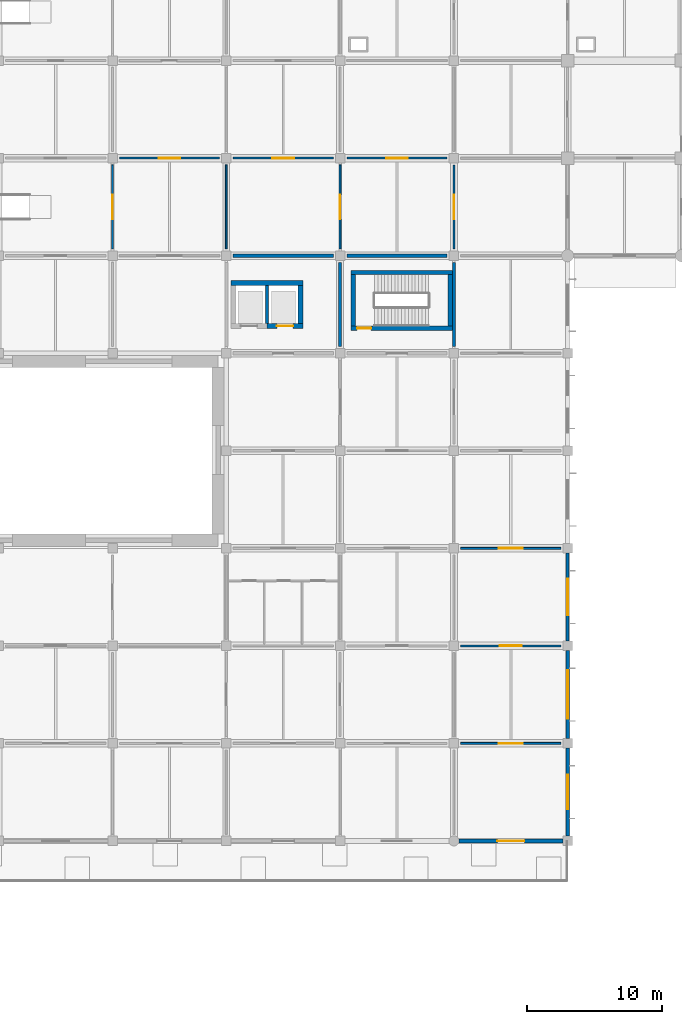
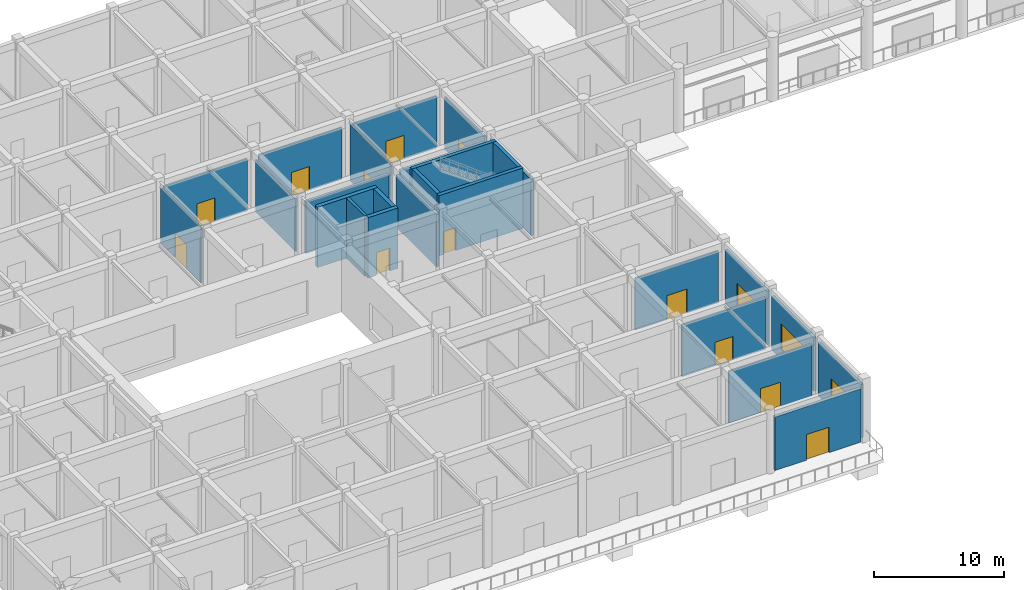
# One storey, part 16 of 39: 26 walls, 12 doors, 3 windows, 15 openings.
"""IFC4 building model written with IfcOpenShell, lengths in metres."""

from ifc_helpers import new_model, si_unit, derived_unit, direction, frame, frame_2d, origin, place, context, subcontext, project, spatial, rectangle, extrude, material, layer, layer_set, type_object, element, fill, save


model = new_model("IFC4")

# Units and contexts
model_context = context("Model", 3, precision=1e-05, world=origin(), true_north=direction((0.0, 1.0)))
body_context = subcontext(model_context, "Body", "Model", "MODEL_VIEW")
ifc_project = project(units=[si_unit("LENGTHUNIT", "METRE"), si_unit("AREAUNIT", "SQUARE_METRE"), si_unit("VOLUMEUNIT", "CUBIC_METRE"), si_unit("PLANEANGLEUNIT", "RADIAN"), si_unit("MASSUNIT", "GRAM", prefix="KILO"), derived_unit("THERMALTRANSMITTANCEUNIT", [(si_unit("MASSUNIT", "GRAM", prefix="KILO"), 1), (si_unit("TIMEUNIT", "SECOND"), -3), (si_unit("THERMODYNAMICTEMPERATUREUNIT", "KELVIN"), -1)])], contexts=[model_context])

# Site, building, storey
site_placement = place(None, origin())
site = spatial("IfcSite", under=ifc_project, at=site_placement, CompositionType="ELEMENT")
building_placement = place(site_placement, origin())
building = spatial("IfcBuilding", under=site, at=building_placement, Name="Veldstrom Oceanarium and Marine Research Institute", CompositionType="ELEMENT")
storey_placement = place(building_placement, origin())
storey = spatial("IfcBuildingStorey", under=building, at=storey_placement, Name="L00", CompositionType="ELEMENT", Elevation=0.0)

# Wall, opening, door
ifc_material_1 = material(Name="Masonry Cavity Wall", Category="masonry")
ifc_layer_1 = layer(ifc_material_1, 0.2900390625)
ifc_layer_set_1 = layer_set([ifc_layer_1], Name="ARC-WAL-EW2")
wall_type_1 = type_object("IfcWallType", Name="ARC-WAL-EW2", PredefinedType="SOLIDWALL", material=ifc_layer_set_1)
wall_1_placement = place(storey_placement, frame((59.175048828125, 0.0, 0.0), z_axis=(0.0, 0.0, 1.0), x_axis=(1.0, 0.0, 0.0)))
wall_1 = element("IfcWall", 1, at=wall_1_placement, inside=storey, type_object=wall_type_1, Name="Exterior Facade Wall EW2 L00-024", PredefinedType="SOLIDWALL", context=body_context, shape_type="SweptSolid", body=[
    extrude(rectangle(XDim=7.675048828125, YDim=0.2900390625, at=frame_2d((3.83740234375, 0.0))), origin(), (0.0, 0.0, 1.0), 5.02001953125),
])
opening_1_placement = place(wall_1_placement, frame((2.83740234375, 0.0, 0.0)))
opening_1 = element("IfcOpeningElement", 2, at=opening_1_placement, cuts=wall_1, Name="Opening D-L00-011", PredefinedType="OPENING", context=body_context, shape_type="SweptSolid", body=[
    extrude(rectangle(XDim=2.0, YDim=2.39990234375, at=frame_2d((1.0, 1.199951171875))), frame((0.0, 0.155029296875, 0.0), z_axis=(0.0, -1.0, 0.0), x_axis=(1.0, 0.0, 0.0)), (0.0, 0.0, 1.0), 0.31005859375),
])
ifc_material_2 = material(Name="Anodised Aluminium Glazed Door", Category="aluminium")
door_type_1 = type_object("IfcDoorType", Name="ARC-DOR-ED1", OperationType="DOUBLE_DOOR_SINGLE_SWING", PredefinedType="DOOR", material=ifc_material_2)
door_1_placement = place(opening_1_placement, frame((2.0, 0.0, 0.0), z_axis=(0.0, 0.0, 1.0), x_axis=(-1.0, 0.0, 0.0)))
door_1 = element("IfcDoor", 3, at=door_1_placement, inside=storey, type_object=door_type_1, Name="Street Entrance / Exit Door D-L00-011", OperationType="DOUBLE_DOOR_SINGLE_SWING", OverallHeight=2.39990234375, OverallWidth=2.0, PredefinedType="DOOR", context=body_context, shape_type="SweptSolid", body=[
    extrude(rectangle(XDim=2.0, YDim=2.39990234375, at=frame_2d((1.0, 1.199951171875))), frame((0.0, 0.02490234375, 0.0), z_axis=(0.0, -1.0, 0.0), x_axis=(1.0, 0.0, 0.0)), (0.0, 0.0, 1.0), 0.050048828125),
])
fill(opening_1, door_1)

# Wall, opening, window
ifc_material_3 = material(Name="Masonry Cavity Wall", Category="masonry")
ifc_layer_2 = layer(ifc_material_3, 0.27001953125)
ifc_layer_set_2 = layer_set([ifc_layer_2], Name="ARC-WAL-EW3")
wall_type_2 = type_object("IfcWallType", Name="ARC-WAL-EW3", PredefinedType="SOLIDWALL", material=ifc_layer_set_2)
wall_2_placement = place(storey_placement, frame((67.199951171875, 0.35009765625, 0.0), z_axis=(0.0, 0.0, 1.0), x_axis=(0.0, 1.0, 0.0)))
wall_2 = element("IfcWall", 4, at=wall_2_placement, inside=storey, type_object=wall_type_2, Name="Exterior Facade Wall EW3 L00-025", PredefinedType="SOLIDWALL", context=body_context, shape_type="SweptSolid", body=[
    extrude(rectangle(XDim=6.5, YDim=0.27001953125, at=frame_2d((3.25, 0.0))), origin(), (0.0, 0.0, 1.0), 5.02001953125),
])
opening_2_placement = place(wall_2_placement, frame((1.97509765625, 0.0, 0.89990234375)))
opening_2 = element("IfcOpeningElement", 5, at=opening_2_placement, cuts=wall_2, Name="Opening W20", PredefinedType="OPENING", context=body_context, shape_type="SweptSolid", body=[
    extrude(rectangle(XDim=2.550048828125, YDim=1.949951171875, at=frame_2d((1.27490234375, 0.97509765625))), frame((0.0, 0.14501953125, 0.0), z_axis=(0.0, -1.0, 0.0), x_axis=(1.0, 0.0, 0.0)), (0.0, 0.0, 1.0), 0.2900390625),
])
ifc_material_4 = material(Name="Double Glazed Low-E IGU", Category="glass")
window_type_1 = type_object("IfcWindowType", Name="ARC-WIN-W20", PartitioningType="SINGLE_PANEL", PredefinedType="WINDOW", material=ifc_material_4)
window_1_placement = place(opening_2_placement, origin())
window_1 = element("IfcWindow", 6, at=window_1_placement, inside=storey, type_object=window_type_1, Name="Facade Window W20 L00-0009", OverallHeight=1.949951171875, OverallWidth=2.550048828125, PartitioningType="SINGLE_PANEL", PredefinedType="WINDOW", context=body_context, shape_type="SweptSolid", body=[
    extrude(rectangle(XDim=2.550048828125, YDim=1.949951171875, at=frame_2d((1.27490234375, 0.97509765625))), frame((0.0, 0.030029296875, 0.0), z_axis=(0.0, -1.0, 0.0), x_axis=(1.0, 0.0, 0.0)), (0.0, 0.0, 1.0), 0.06005859375),
])
fill(opening_2, window_1)

ifc_material_5 = material(Name="Masonry Cavity Wall", Category="masonry")
ifc_layer_3 = layer(ifc_material_5, 0.25)
ifc_layer_set_3 = layer_set([ifc_layer_3], Name="ARC-WAL-EW5")
wall_type_3 = type_object("IfcWallType", Name="ARC-WAL-EW5", PredefinedType="SOLIDWALL", material=ifc_layer_set_3)
wall_3_placement = place(storey_placement, frame((67.199951171875, 7.550048828125, 0.0), z_axis=(0.0, 0.0, 1.0), x_axis=(0.0, 1.0, 0.0)))
wall_3 = element("IfcWall", 7, at=wall_3_placement, inside=storey, type_object=wall_type_3, Name="Exterior Facade Wall EW5 L00-026", PredefinedType="SOLIDWALL", context=body_context, shape_type="SweptSolid", body=[
    extrude(rectangle(XDim=6.5, YDim=0.25, at=frame_2d((3.25, 0.0))), origin(), (0.0, 0.0, 1.0), 5.02001953125),
])
opening_3_placement = place(wall_3_placement, frame((1.449951171875, 0.0, 0.89990234375)))
opening_3 = element("IfcOpeningElement", 8, at=opening_3_placement, cuts=wall_3, Name="Opening W11", PredefinedType="OPENING", context=body_context, shape_type="SweptSolid", body=[
    extrude(rectangle(XDim=3.60009765625, YDim=2.39990234375, at=frame_2d((1.800048828125, 1.199951171875))), frame((0.0, 0.135009765625, 0.0), z_axis=(0.0, -1.0, 0.0), x_axis=(1.0, 0.0, 0.0)), (0.0, 0.0, 1.0), 0.27001953125),
])
ifc_material_6 = material(Name="Double Glazed Low-E IGU", Category="glass")
window_type_2 = type_object("IfcWindowType", Name="ARC-WIN-W11", PartitioningType="SINGLE_PANEL", PredefinedType="WINDOW", material=ifc_material_6)
window_2_placement = place(opening_3_placement, origin())
window_2 = element("IfcWindow", 9, at=window_2_placement, inside=storey, type_object=window_type_2, Name="Facade Window W11 L00-0010", OverallHeight=2.39990234375, OverallWidth=3.60009765625, PartitioningType="SINGLE_PANEL", PredefinedType="WINDOW", context=body_context, shape_type="SweptSolid", body=[
    extrude(rectangle(XDim=3.60009765625, YDim=2.39990234375, at=frame_2d((1.800048828125, 1.199951171875))), frame((0.0, 0.030029296875, 0.0), z_axis=(0.0, -1.0, 0.0), x_axis=(1.0, 0.0, 0.0)), (0.0, 0.0, 1.0), 0.06005859375),
])
fill(opening_3, window_2)

ifc_material_7 = material(Name="Masonry Cavity Wall", Category="masonry")
ifc_layer_4 = layer(ifc_material_7, 0.215087890625)
ifc_layer_set_4 = layer_set([ifc_layer_4], Name="ARC-WAL-EW6")
wall_type_4 = type_object("IfcWallType", Name="ARC-WAL-EW6", PredefinedType="SOLIDWALL", material=ifc_layer_set_4)
wall_4_placement = place(storey_placement, frame((67.199951171875, 14.75, 0.0), z_axis=(0.0, 0.0, 1.0), x_axis=(0.0, 1.0, 0.0)))
wall_4 = element("IfcWall", 10, at=wall_4_placement, inside=storey, type_object=wall_type_4, Name="Exterior Facade Wall EW6 L00-027", PredefinedType="SOLIDWALL", context=body_context, shape_type="SweptSolid", body=[
    extrude(rectangle(XDim=6.5, YDim=0.215087890625, at=frame_2d((3.25, 0.0))), origin(), (0.0, 0.0, 1.0), 5.02001953125),
])
opening_4_placement = place(wall_4_placement, frame((1.89990234375, 0.0, 0.89990234375)))
opening_4 = element("IfcOpeningElement", 11, at=opening_4_placement, cuts=wall_4, Name="Opening W08", PredefinedType="OPENING", context=body_context, shape_type="SweptSolid", body=[
    extrude(rectangle(XDim=2.699951171875, YDim=2.10009765625, at=frame_2d((1.35009765625, 1.050048828125))), frame((0.0, 0.117431640625, 0.0), z_axis=(0.0, -1.0, 0.0), x_axis=(1.0, 0.0, 0.0)), (0.0, 0.0, 1.0), 0.235107421875),
])
ifc_material_8 = material(Name="Double Glazed Low-E IGU", Category="glass")
window_type_3 = type_object("IfcWindowType", Name="ARC-WIN-W08", PartitioningType="SINGLE_PANEL", PredefinedType="WINDOW", material=ifc_material_8)
window_3_placement = place(opening_4_placement, origin())
window_3 = element("IfcWindow", 12, at=window_3_placement, inside=storey, type_object=window_type_3, Name="Facade Window W08 L00-0011", OverallHeight=2.10009765625, OverallWidth=2.699951171875, PartitioningType="SINGLE_PANEL", PredefinedType="WINDOW", context=body_context, shape_type="SweptSolid", body=[
    extrude(rectangle(XDim=2.699951171875, YDim=2.10009765625, at=frame_2d((1.35009765625, 1.050048828125))), frame((0.0, 0.030029296875, 0.0), z_axis=(0.0, -1.0, 0.0), x_axis=(1.0, 0.0, 0.0)), (0.0, 0.0, 1.0), 0.06005859375),
])
fill(opening_4, window_3)

# Walls
ifc_material_9 = material(Name="Masonry Fire Compartment Wall", Category="masonry")
ifc_layer_5 = layer(ifc_material_9, 0.22998046875)
ifc_layer_set_5 = layer_set([ifc_layer_5], Name="ARC-WAL-PT1")
wall_type_5 = type_object("IfcWallType", Name="ARC-WAL-PT1", PredefinedType="PARTITIONING", material=ifc_layer_set_5)
wall_5_placement = place(storey_placement, frame((50.39990234375, 36.5, 0.0), z_axis=(0.0, 0.0, 1.0), x_axis=(0.0, 1.0, 0.0)))
element("IfcWall", 13, at=wall_5_placement, inside=storey, type_object=wall_type_5, Name="Interior Partition PT1 L00-0657", PredefinedType="PARTITIONING", context=body_context, shape_type="SweptSolid", body=[
    extrude(rectangle(XDim=6.199951171875, YDim=0.22998046875, at=frame_2d((3.10009765625, 0.0))), origin(), (0.0, 0.0, 1.0), 4.919921875),
])
wall_6_placement = place(storey_placement, frame((42.5, 43.199951171875, 0.0), z_axis=(0.0, 0.0, 1.0), x_axis=(1.0, 0.0, 0.0)))
element("IfcWall", 14, at=wall_6_placement, inside=storey, type_object=wall_type_5, Name="Interior Partition PT1 L00-0658", PredefinedType="PARTITIONING", context=body_context, shape_type="SweptSolid", body=[
    extrude(rectangle(XDim=7.39990234375, YDim=0.22998046875, at=frame_2d((3.699951171875, 0.0))), origin(), (0.0, 0.0, 1.0), 4.8701171875),
])
wall_7_placement = place(storey_placement, frame((58.800048828125, 36.5, 0.0), z_axis=(0.0, 0.0, 1.0), x_axis=(0.0, 1.0, 0.0)))
element("IfcWall", 15, at=wall_7_placement, inside=storey, type_object=wall_type_5, Name="Interior Partition PT1 L00-0676", PredefinedType="PARTITIONING", context=body_context, shape_type="SweptSolid", body=[
    extrude(rectangle(XDim=6.199951171875, YDim=0.22998046875, at=frame_2d((3.10009765625, 0.0))), origin(), (0.0, 0.0, 1.0), 5.27001953125),
])
wall_8_placement = place(storey_placement, frame((50.89990234375, 43.199951171875, 0.0), z_axis=(0.0, 0.0, 1.0), x_axis=(1.0, 0.0, 0.0)))
element("IfcWall", 16, at=wall_8_placement, inside=storey, type_object=wall_type_5, Name="Interior Partition PT1 L00-0677", PredefinedType="PARTITIONING", context=body_context, shape_type="SweptSolid", body=[
    extrude(rectangle(XDim=7.400146484375, YDim=0.22998046875, at=frame_2d((3.7001953125, 0.0))), origin(), (0.0, 0.0, 1.0), 4.8701171875),
])

# Wall, opening, door
ifc_material_10 = material(Name="Drywall Corridor Partition", Category="gypsum")
ifc_layer_6 = layer(ifc_material_10, 0.155029296875)
ifc_layer_set_6 = layer_set([ifc_layer_6], Name="ARC-WAL-PT4")
wall_type_6 = type_object("IfcWallType", Name="ARC-WAL-PT4", PredefinedType="PARTITIONING", material=ifc_layer_set_6)
wall_9_placement = place(storey_placement, frame((34.10009765625, 50.39990234375, 0.0), z_axis=(0.0, 0.0, 1.0), x_axis=(1.0, 0.0, 0.0)))
wall_9 = element("IfcWall", 17, at=wall_9_placement, inside=storey, type_object=wall_type_6, Name="Interior Partition PT4 L00-0641", PredefinedType="PARTITIONING", context=body_context, shape_type="SweptSolid", body=[
    extrude(rectangle(XDim=7.39990234375, YDim=0.155029296875, at=frame_2d((3.699951171875, 0.0))), origin(), (0.0, 0.0, 1.0), 4.8701171875),
])
opening_5_placement = place(wall_9_placement, frame((2.89990234375, 0.0, 0.0)))
opening_5 = element("IfcOpeningElement", 18, at=opening_5_placement, cuts=wall_9, Name="Opening D-L00-373", PredefinedType="OPENING", context=body_context, shape_type="SweptSolid", body=[
    extrude(rectangle(XDim=1.60009765625, YDim=2.199951171875, at=frame_2d((0.800048828125, 1.10009765625))), frame((0.0, 0.08740234375, 0.0), z_axis=(0.0, -1.0, 0.0), x_axis=(1.0, 0.0, 0.0)), (0.0, 0.0, 1.0), 0.175048828125),
])
ifc_material_11 = material(Name="Acoustic Timber Corridor Door", Category="wood")
door_type_2 = type_object("IfcDoorType", Name="ARC-DOR-ID02", OperationType="DOUBLE_DOOR_SINGLE_SWING", PredefinedType="DOOR", material=ifc_material_11)
door_2_placement = place(opening_5_placement, origin())
door_2 = element("IfcDoor", 19, at=door_2_placement, inside=storey, type_object=door_type_2, Name="Interior Door D-L00-373", OperationType="DOUBLE_DOOR_SINGLE_SWING", OverallHeight=2.199951171875, OverallWidth=1.60009765625, PredefinedType="DOOR", context=body_context, shape_type="SweptSolid", body=[
    extrude(rectangle(XDim=1.60009765625, YDim=2.199951171875, at=frame_2d((0.800048828125, 1.10009765625))), frame((0.0, 0.02490234375, 0.0), z_axis=(0.0, -1.0, 0.0), x_axis=(1.0, 0.0, 0.0)), (0.0, 0.0, 1.0), 0.050048828125),
])
fill(opening_5, door_2)

wall_10_placement = place(storey_placement, frame((58.800048828125, 43.699951171875, 0.0), z_axis=(0.0, 0.0, 1.0), x_axis=(0.0, 1.0, 0.0)))
wall_10 = element("IfcWall", 20, at=wall_10_placement, inside=storey, type_object=wall_type_6, Name="Interior Partition PT4 L00-0678", PredefinedType="PARTITIONING", context=body_context, shape_type="SweptSolid", body=[
    extrude(rectangle(XDim=6.199951171875, YDim=0.155029296875, at=frame_2d((3.10009765625, 0.0))), origin(), (0.0, 0.0, 1.0), 4.919921875),
])
opening_6_placement = place(wall_10_placement, frame((2.199951171875, 0.0, 0.0)))
opening_6 = element("IfcOpeningElement", 21, at=opening_6_placement, cuts=wall_10, Name="Opening D-L00-392", PredefinedType="OPENING", context=body_context, shape_type="SweptSolid", body=[
    extrude(rectangle(XDim=1.800048828125, YDim=2.25, at=frame_2d((0.89990234375, 1.125))), frame((0.0, 0.08740234375, 0.0), z_axis=(0.0, -1.0, 0.0), x_axis=(1.0, 0.0, 0.0)), (0.0, 0.0, 1.0), 0.175048828125),
])
ifc_material_12 = material(Name="Acoustic Timber Gallery Door", Category="wood")
door_type_3 = type_object("IfcDoorType", Name="ARC-DOR-ID01", OperationType="DOUBLE_DOOR_SINGLE_SWING", PredefinedType="DOOR", material=ifc_material_12)
door_3_placement = place(opening_6_placement, frame((1.800048828125, 0.0, 0.0), z_axis=(0.0, 0.0, 1.0), x_axis=(-1.0, 0.0, 0.0)))
door_3 = element("IfcDoor", 22, at=door_3_placement, inside=storey, type_object=door_type_3, Name="Interior Door D-L00-392", OperationType="DOUBLE_DOOR_SINGLE_SWING", OverallHeight=2.25, OverallWidth=1.800048828125, PredefinedType="DOOR", context=body_context, shape_type="SweptSolid", body=[
    extrude(rectangle(XDim=1.800048828125, YDim=2.25, at=frame_2d((0.89990234375, 1.125))), frame((0.0, 0.02490234375, 0.0), z_axis=(0.0, -1.0, 0.0), x_axis=(1.0, 0.0, 0.0)), (0.0, 0.0, 1.0), 0.050048828125),
])
fill(opening_6, door_3)

wall_11_placement = place(storey_placement, frame((50.89990234375, 50.39990234375, 0.0), z_axis=(0.0, 0.0, 1.0), x_axis=(1.0, 0.0, 0.0)))
wall_11 = element("IfcWall", 23, at=wall_11_placement, inside=storey, type_object=wall_type_6, Name="Interior Partition PT4 L00-0679", PredefinedType="PARTITIONING", context=body_context, shape_type="SweptSolid", body=[
    extrude(rectangle(XDim=7.400146484375, YDim=0.155029296875, at=frame_2d((3.7001953125, 0.0))), origin(), (0.0, 0.0, 1.0), 4.8701171875),
])
opening_7_placement = place(wall_11_placement, frame((2.89990234375, 0.0, 0.0)))
opening_7 = element("IfcOpeningElement", 24, at=opening_7_placement, cuts=wall_11, Name="Opening D-L00-393", PredefinedType="OPENING", context=body_context, shape_type="SweptSolid", body=[
    extrude(rectangle(XDim=1.60009765625, YDim=2.199951171875, at=frame_2d((0.800048828125, 1.10009765625))), frame((0.0, 0.08740234375, 0.0), z_axis=(0.0, -1.0, 0.0), x_axis=(1.0, 0.0, 0.0)), (0.0, 0.0, 1.0), 0.175048828125),
])
door_4_placement = place(opening_7_placement, origin())
door_4 = element("IfcDoor", 25, at=door_4_placement, inside=storey, type_object=door_type_2, Name="Interior Door D-L00-393", OperationType="DOUBLE_DOOR_SINGLE_SWING", OverallHeight=2.199951171875, OverallWidth=1.60009765625, PredefinedType="DOOR", context=body_context, shape_type="SweptSolid", body=[
    extrude(rectangle(XDim=1.60009765625, YDim=2.199951171875, at=frame_2d((0.800048828125, 1.10009765625))), frame((0.0, 0.02490234375, 0.0), z_axis=(0.0, -1.0, 0.0), x_axis=(1.0, 0.0, 0.0)), (0.0, 0.0, 1.0), 0.050048828125),
])
fill(opening_7, door_4)

wall_12_placement = place(storey_placement, frame((59.300048828125, 14.39990234375, 0.0), z_axis=(0.0, 0.0, 1.0), x_axis=(1.0, 0.0, 0.0)))
wall_12 = element("IfcWall", 26, at=wall_12_placement, inside=storey, type_object=wall_type_6, Name="Interior Partition PT4 L00-0686", PredefinedType="PARTITIONING", context=body_context, shape_type="SweptSolid", body=[
    extrude(rectangle(XDim=7.39990234375, YDim=0.155029296875, at=frame_2d((3.699951171875, 0.0))), origin(), (0.0, 0.0, 1.0), 4.8701171875),
])
opening_8_placement = place(wall_12_placement, frame((2.89990234375, 0.0, 0.0)))
opening_8 = element("IfcOpeningElement", 27, at=opening_8_placement, cuts=wall_12, Name="Opening D-L00-397", PredefinedType="OPENING", context=body_context, shape_type="SweptSolid", body=[
    extrude(rectangle(XDim=1.60009765625, YDim=2.199951171875, at=frame_2d((0.800048828125, 1.10009765625))), frame((0.0, 0.08740234375, 0.0), z_axis=(0.0, -1.0, 0.0), x_axis=(1.0, 0.0, 0.0)), (0.0, 0.0, 1.0), 0.175048828125),
])
door_5_placement = place(opening_8_placement, frame((1.60009765625, 0.0, 0.0), z_axis=(0.0, 0.0, 1.0), x_axis=(-1.0, 0.0, 0.0)))
door_5 = element("IfcDoor", 28, at=door_5_placement, inside=storey, type_object=door_type_2, Name="Interior Door D-L00-397", OperationType="DOUBLE_DOOR_SINGLE_SWING", OverallHeight=2.199951171875, OverallWidth=1.60009765625, PredefinedType="DOOR", context=body_context, shape_type="SweptSolid", body=[
    extrude(rectangle(XDim=1.60009765625, YDim=2.199951171875, at=frame_2d((0.800048828125, 1.10009765625))), frame((0.0, 0.02490234375, 0.0), z_axis=(0.0, -1.0, 0.0), x_axis=(1.0, 0.0, 0.0)), (0.0, 0.0, 1.0), 0.050048828125),
])
fill(opening_8, door_5)

ifc_material_13 = material(Name="Moisture-Resistant Wet-Area Partition", Category="masonry")
ifc_layer_7 = layer(ifc_material_13, 0.139892578125)
ifc_layer_set_7 = layer_set([ifc_layer_7], Name="ARC-WAL-PT5")
wall_type_7 = type_object("IfcWallType", Name="ARC-WAL-PT5", PredefinedType="PARTITIONING", material=ifc_layer_set_7)
wall_13_placement = place(storey_placement, frame((33.60009765625, 43.699951171875, 0.0), z_axis=(0.0, 0.0, 1.0), x_axis=(0.0, 1.0, 0.0)))
wall_13 = element("IfcWall", 29, at=wall_13_placement, inside=storey, type_object=wall_type_7, Name="Interior Partition PT5 L00-0626", PredefinedType="PARTITIONING", context=body_context, shape_type="SweptSolid", body=[
    extrude(rectangle(XDim=6.199951171875, YDim=0.139892578125, at=frame_2d((3.10009765625, 0.0))), origin(), (0.0, 0.0, 1.0), 5.169921875),
])
opening_9_placement = place(wall_13_placement, frame((2.199951171875, 0.0, 0.0)))
opening_9 = element("IfcOpeningElement", 30, at=opening_9_placement, cuts=wall_13, Name="Opening D-L00-366", PredefinedType="OPENING", context=body_context, shape_type="SweptSolid", body=[
    extrude(rectangle(XDim=1.800048828125, YDim=2.25, at=frame_2d((0.89990234375, 1.125))), frame((0.0, 0.079833984375, 0.0), z_axis=(0.0, -1.0, 0.0), x_axis=(1.0, 0.0, 0.0)), (0.0, 0.0, 1.0), 0.159912109375),
])
door_6_placement = place(opening_9_placement, origin())
door_6 = element("IfcDoor", 31, at=door_6_placement, inside=storey, type_object=door_type_3, Name="Interior Door D-L00-366", OperationType="DOUBLE_DOOR_SINGLE_SWING", OverallHeight=2.25, OverallWidth=1.800048828125, PredefinedType="DOOR", context=body_context, shape_type="SweptSolid", body=[
    extrude(rectangle(XDim=1.800048828125, YDim=2.25, at=frame_2d((0.89990234375, 1.125))), frame((0.0, 0.02490234375, 0.0), z_axis=(0.0, -1.0, 0.0), x_axis=(1.0, 0.0, 0.0)), (0.0, 0.0, 1.0), 0.050048828125),
])
fill(opening_9, door_6)

wall_14_placement = place(storey_placement, frame((50.39990234375, 43.699951171875, 0.0), z_axis=(0.0, 0.0, 1.0), x_axis=(0.0, 1.0, 0.0)))
wall_14 = element("IfcWall", 32, at=wall_14_placement, inside=storey, type_object=wall_type_7, Name="Interior Partition PT5 L00-0659", PredefinedType="PARTITIONING", context=body_context, shape_type="SweptSolid", body=[
    extrude(rectangle(XDim=6.199951171875, YDim=0.139892578125, at=frame_2d((3.10009765625, 0.0))), origin(), (0.0, 0.0, 1.0), 5.27001953125),
])
opening_10_placement = place(wall_14_placement, frame((2.199951171875, 0.0, 0.0)))
opening_10 = element("IfcOpeningElement", 33, at=opening_10_placement, cuts=wall_14, Name="Opening D-L00-382", PredefinedType="OPENING", context=body_context, shape_type="SweptSolid", body=[
    extrude(rectangle(XDim=1.800048828125, YDim=2.25, at=frame_2d((0.89990234375, 1.125))), frame((0.0, 0.079833984375, 0.0), z_axis=(0.0, -1.0, 0.0), x_axis=(1.0, 0.0, 0.0)), (0.0, 0.0, 1.0), 0.159912109375),
])
door_7_placement = place(opening_10_placement, origin())
door_7 = element("IfcDoor", 34, at=door_7_placement, inside=storey, type_object=door_type_3, Name="Interior Door D-L00-382", OperationType="DOUBLE_DOOR_SINGLE_SWING", OverallHeight=2.25, OverallWidth=1.800048828125, PredefinedType="DOOR", context=body_context, shape_type="SweptSolid", body=[
    extrude(rectangle(XDim=1.800048828125, YDim=2.25, at=frame_2d((0.89990234375, 1.125))), frame((0.0, 0.02490234375, 0.0), z_axis=(0.0, -1.0, 0.0), x_axis=(1.0, 0.0, 0.0)), (0.0, 0.0, 1.0), 0.050048828125),
])
fill(opening_10, door_7)

wall_15_placement = place(storey_placement, frame((42.5, 50.39990234375, 0.0), z_axis=(0.0, 0.0, 1.0), x_axis=(1.0, 0.0, 0.0)))
wall_15 = element("IfcWall", 35, at=wall_15_placement, inside=storey, type_object=wall_type_7, Name="Interior Partition PT5 L00-0660", PredefinedType="PARTITIONING", context=body_context, shape_type="SweptSolid", body=[
    extrude(rectangle(XDim=7.39990234375, YDim=0.139892578125, at=frame_2d((3.699951171875, 0.0))), origin(), (0.0, 0.0, 1.0), 4.8701171875),
])
opening_11_placement = place(wall_15_placement, frame((2.89990234375, 0.0, 0.0)))
opening_11 = element("IfcOpeningElement", 36, at=opening_11_placement, cuts=wall_15, Name="Opening D-L00-383", PredefinedType="OPENING", context=body_context, shape_type="SweptSolid", body=[
    extrude(rectangle(XDim=1.60009765625, YDim=2.199951171875, at=frame_2d((0.800048828125, 1.10009765625))), frame((0.0, 0.079833984375, 0.0), z_axis=(0.0, -1.0, 0.0), x_axis=(1.0, 0.0, 0.0)), (0.0, 0.0, 1.0), 0.159912109375),
])
door_8_placement = place(opening_11_placement, origin())
door_8 = element("IfcDoor", 37, at=door_8_placement, inside=storey, type_object=door_type_2, Name="Interior Door D-L00-383", OperationType="DOUBLE_DOOR_SINGLE_SWING", OverallHeight=2.199951171875, OverallWidth=1.60009765625, PredefinedType="DOOR", context=body_context, shape_type="SweptSolid", body=[
    extrude(rectangle(XDim=1.60009765625, YDim=2.199951171875, at=frame_2d((0.800048828125, 1.10009765625))), frame((0.0, 0.02490234375, 0.0), z_axis=(0.0, -1.0, 0.0), x_axis=(1.0, 0.0, 0.0)), (0.0, 0.0, 1.0), 0.050048828125),
])
fill(opening_11, door_8)

wall_16_placement = place(storey_placement, frame((59.300048828125, 7.199951171875, 0.0), z_axis=(0.0, 0.0, 1.0), x_axis=(1.0, 0.0, 0.0)))
wall_16 = element("IfcWall", 38, at=wall_16_placement, inside=storey, type_object=wall_type_7, Name="Interior Partition PT5 L00-0685", PredefinedType="PARTITIONING", context=body_context, shape_type="SweptSolid", body=[
    extrude(rectangle(XDim=7.39990234375, YDim=0.139892578125, at=frame_2d((3.699951171875, 0.0))), origin(), (0.0, 0.0, 1.0), 4.8701171875),
])
opening_12_placement = place(wall_16_placement, frame((2.800048828125, 0.0, 0.0)))
opening_12 = element("IfcOpeningElement", 39, at=opening_12_placement, cuts=wall_16, Name="Opening D-L00-396", PredefinedType="OPENING", context=body_context, shape_type="SweptSolid", body=[
    extrude(rectangle(XDim=1.800048828125, YDim=2.25, at=frame_2d((0.89990234375, 1.125))), frame((0.0, 0.079833984375, 0.0), z_axis=(0.0, -1.0, 0.0), x_axis=(1.0, 0.0, 0.0)), (0.0, 0.0, 1.0), 0.159912109375),
])
door_9_placement = place(opening_12_placement, frame((1.800048828125, 0.0, 0.0), z_axis=(0.0, 0.0, 1.0), x_axis=(-1.0, 0.0, 0.0)))
door_9 = element("IfcDoor", 40, at=door_9_placement, inside=storey, type_object=door_type_3, Name="Interior Door D-L00-396", OperationType="DOUBLE_DOOR_SINGLE_SWING", OverallHeight=2.25, OverallWidth=1.800048828125, PredefinedType="DOOR", context=body_context, shape_type="SweptSolid", body=[
    extrude(rectangle(XDim=1.800048828125, YDim=2.25, at=frame_2d((0.89990234375, 1.125))), frame((0.0, 0.02490234375, 0.0), z_axis=(0.0, -1.0, 0.0), x_axis=(1.0, 0.0, 0.0)), (0.0, 0.0, 1.0), 0.050048828125),
])
fill(opening_12, door_9)

wall_17_placement = place(storey_placement, frame((59.300048828125, 21.60009765625, 0.0), z_axis=(0.0, 0.0, 1.0), x_axis=(1.0, 0.0, 0.0)))
wall_17 = element("IfcWall", 41, at=wall_17_placement, inside=storey, type_object=wall_type_7, Name="Interior Partition PT5 L00-0687", PredefinedType="PARTITIONING", context=body_context, shape_type="SweptSolid", body=[
    extrude(rectangle(XDim=7.39990234375, YDim=0.139892578125, at=frame_2d((3.699951171875, 0.0))), origin(), (0.0, 0.0, 1.0), 4.8701171875),
])
opening_13_placement = place(wall_17_placement, frame((2.800048828125, 0.0, 0.0)))
opening_13 = element("IfcOpeningElement", 42, at=opening_13_placement, cuts=wall_17, Name="Opening D-L00-398", PredefinedType="OPENING", context=body_context, shape_type="SweptSolid", body=[
    extrude(rectangle(XDim=1.800048828125, YDim=2.25, at=frame_2d((0.89990234375, 1.125))), frame((0.0, 0.079833984375, 0.0), z_axis=(0.0, -1.0, 0.0), x_axis=(1.0, 0.0, 0.0)), (0.0, 0.0, 1.0), 0.159912109375),
])
door_10_placement = place(opening_13_placement, frame((1.800048828125, 0.0, 0.0), z_axis=(0.0, 0.0, 1.0), x_axis=(-1.0, 0.0, 0.0)))
door_10 = element("IfcDoor", 43, at=door_10_placement, inside=storey, type_object=door_type_3, Name="Interior Door D-L00-398", OperationType="DOUBLE_DOOR_SINGLE_SWING", OverallHeight=2.25, OverallWidth=1.800048828125, PredefinedType="DOOR", context=body_context, shape_type="SweptSolid", body=[
    extrude(rectangle(XDim=1.800048828125, YDim=2.25, at=frame_2d((0.89990234375, 1.125))), frame((0.0, 0.02490234375, 0.0), z_axis=(0.0, -1.0, 0.0), x_axis=(1.0, 0.0, 0.0)), (0.0, 0.0, 1.0), 0.050048828125),
])
fill(opening_13, door_10)

# Walls
ifc_material_14 = material(Name="Lightweight Studio Partition", Category="gypsum")
ifc_layer_8 = layer(ifc_material_14, 0.1201171875)
ifc_layer_set_8 = layer_set([ifc_layer_8], Name="ARC-WAL-PT6")
wall_type_8 = type_object("IfcWallType", Name="ARC-WAL-PT6", PredefinedType="PARTITIONING", material=ifc_layer_set_8)
wall_18_placement = place(storey_placement, frame((42.0, 43.699951171875, 0.0), z_axis=(0.0, 0.0, 1.0), x_axis=(0.0, 1.0, 0.0)))
element("IfcWall", 44, at=wall_18_placement, inside=storey, type_object=wall_type_8, Name="Interior Partition PT6 L00-0640", PredefinedType="PARTITIONING", context=body_context, shape_type="SweptSolid", body=[
    extrude(rectangle(XDim=6.199951171875, YDim=0.1201171875, at=frame_2d((3.10009765625, 0.0))), origin(), (0.0, 0.0, 1.0), 4.919921875),
])
ifc_material_15 = material(Name="Concrete C40/50", Category="concrete")
ifc_layer_9 = layer(ifc_material_15, 0.360107421875)
ifc_layer_set_9 = layer_set([ifc_layer_9], Name="STR-WAL-WC2")
wall_type_9 = type_object("IfcWallType", Name="STR-WAL-WC2", PredefinedType="SHEAR", material=ifc_layer_set_9)
wall_19_placement = place(storey_placement, frame((42.340087890625, 41.179931640625, 0.0), z_axis=(0.0, 0.0, 1.0), x_axis=(1.0, 0.0, 0.0)))
element("IfcWall", 45, at=wall_19_placement, inside=storey, type_object=wall_type_9, Name="Lift Shaft Shear Wall N L00 5/5", PredefinedType="SHEAR", context=body_context, shape_type="SweptSolid", body=[
    extrude(rectangle(XDim=5.31982421875, YDim=0.360107421875, at=frame_2d((2.659912109375, 0.0))), origin(), (0.0, 0.0, 1.0), 5.675048828125),
])

# Wall, opening, door
wall_20_placement = place(storey_placement, frame((45.0, 38.02001953125, 0.0), z_axis=(0.0, 0.0, 1.0), x_axis=(1.0, 0.0, 0.0)))
wall_20 = element("IfcWall", 46, at=wall_20_placement, inside=storey, type_object=wall_type_9, Name="Lift Shaft Front Shear Wall LP5 L00", PredefinedType="SHEAR", context=body_context, shape_type="SweptSolid", body=[
    extrude(rectangle(XDim=2.659912109375, YDim=0.360107421875, at=frame_2d((1.330078125, 0.0))), origin(), (0.0, 0.0, 1.0), 5.675048828125),
])
opening_14_placement = place(wall_20_placement, frame((0.72998046875, 0.0, 0.0)))
opening_14 = element("IfcOpeningElement", 47, at=opening_14_placement, cuts=wall_20, Name="Opening LD-LP5-L00", PredefinedType="OPENING", context=body_context, shape_type="SweptSolid", body=[
    extrude(rectangle(XDim=1.199951171875, YDim=2.14990234375, at=frame_2d((0.60009765625, 1.074951171875))), frame((0.0, 0.18994140625, 0.0), z_axis=(0.0, -1.0, 0.0), x_axis=(1.0, 0.0, 0.0)), (0.0, 0.0, 1.0), 0.380126953125),
])
ifc_material_16 = material(Name="Stainless Steel Lift Landing Door", Category="steel")
door_type_4 = type_object("IfcDoorType", Name="ARC-DOR-LD2", OperationType="DOUBLE_DOOR_SLIDING", PredefinedType="DOOR", material=ifc_material_16)
door_11_placement = place(opening_14_placement, origin())
door_11 = element("IfcDoor", 48, at=door_11_placement, inside=storey, type_object=door_type_4, Name="Lift Landing Door LD-LP5-L00", OperationType="DOUBLE_DOOR_SLIDING", OverallHeight=2.14990234375, OverallWidth=1.199951171875, PredefinedType="DOOR", context=body_context, shape_type="SweptSolid", body=[
    extrude(rectangle(XDim=1.199951171875, YDim=2.14990234375, at=frame_2d((0.60009765625, 1.074951171875))), frame((0.0, 0.02490234375, 0.0), z_axis=(0.0, -1.0, 0.0), x_axis=(1.0, 0.0, 0.0)), (0.0, 0.0, 1.0), 0.050048828125),
])
fill(opening_14, door_11)

# Wall
wall_21_placement = place(storey_placement, frame((47.47998046875, 38.199951171875, 0.0), z_axis=(0.0, 0.0, 1.0), x_axis=(0.0, 1.0, 0.0)))
element("IfcWall", 49, at=wall_21_placement, inside=storey, type_object=wall_type_9, Name="Lift Shaft Shear Wall E L00 5/5", PredefinedType="SHEAR", context=body_context, shape_type="SweptSolid", body=[
    extrude(rectangle(XDim=2.800048828125, YDim=0.360107421875, at=frame_2d((1.39990234375, 0.0))), origin(), (0.0, 0.0, 1.0), 5.675048828125),
])

# Wall, opening, door
ifc_material_17 = material(Name="Concrete C40/50", Category="concrete")
ifc_layer_10 = layer(ifc_material_17, 0.320068359375)
ifc_layer_set_10 = layer_set([ifc_layer_10], Name="STR-WAL-WC3")
wall_type_10 = type_object("IfcWallType", Name="STR-WAL-WC3", PredefinedType="SHEAR", material=ifc_layer_set_10)
wall_22_placement = place(storey_placement, frame((51.199951171875, 37.840087890625, 0.0), z_axis=(0.0, 0.0, 1.0), x_axis=(1.0, 0.0, 0.0)))
wall_22 = element("IfcWall", 50, at=wall_22_placement, inside=storey, type_object=wall_type_10, Name="Stair Core Shear Wall SC5-L00-S", PredefinedType="SHEAR", context=body_context, shape_type="SweptSolid", body=[
    extrude(rectangle(XDim=7.47998046875, YDim=0.320068359375, at=frame_2d((3.739990234375, 0.0))), origin(), (0.0, 0.0, 1.0), 5.675048828125),
])
opening_15_placement = place(wall_22_placement, frame((0.449951171875, 0.0, 0.0)))
opening_15 = element("IfcOpeningElement", 51, at=opening_15_placement, cuts=wall_22, Name="Opening D-ST5-L00", PredefinedType="OPENING", context=body_context, shape_type="SweptSolid", body=[
    extrude(rectangle(XDim=1.050048828125, YDim=2.14990234375, at=frame_2d((0.52490234375, 1.074951171875))), frame((0.0, 0.169921875, 0.0), z_axis=(0.0, -1.0, 0.0), x_axis=(1.0, 0.0, 0.0)), (0.0, 0.0, 1.0), 0.340087890625),
])
ifc_material_18 = material(Name="Painted Steel Fire Door", Category="steel")
door_type_5 = type_object("IfcDoorType", Name="ARC-DOR-SD1", OperationType="SINGLE_SWING_LEFT", PredefinedType="DOOR", material=ifc_material_18)
door_12_placement = place(opening_15_placement, frame((1.050048828125, 0.0, 0.0), z_axis=(0.0, 0.0, 1.0), x_axis=(-1.0, 0.0, 0.0)))
door_12 = element("IfcDoor", 52, at=door_12_placement, inside=storey, type_object=door_type_5, Name="Escape Stair Fire Door D-ST5-L00", OperationType="SINGLE_SWING_RIGHT", OverallHeight=2.14990234375, OverallWidth=1.050048828125, PredefinedType="DOOR", context=body_context, shape_type="SweptSolid", body=[
    extrude(rectangle(XDim=1.050048828125, YDim=2.14990234375, at=frame_2d((0.52490234375, 1.074951171875))), frame((0.0, 0.02490234375, 0.0), z_axis=(0.0, -1.0, 0.0), x_axis=(1.0, 0.0, 0.0)), (0.0, 0.0, 1.0), 0.050048828125),
])
fill(opening_15, door_12)

# Walls
wall_23_placement = place(storey_placement, frame((51.199951171875, 41.9599609375, 0.0), z_axis=(0.0, 0.0, 1.0), x_axis=(1.0, 0.0, 0.0)))
element("IfcWall", 53, at=wall_23_placement, inside=storey, type_object=wall_type_10, Name="Stair Core Shear Wall SC5-L00-N", PredefinedType="SHEAR", context=body_context, shape_type="SweptSolid", body=[
    extrude(rectangle(XDim=7.47998046875, YDim=0.320068359375, at=frame_2d((3.739990234375, 0.0))), origin(), (0.0, 0.0, 1.0), 5.675048828125),
])
for number, where, z_axis, x_axis, name in (
    (54, (51.360107421875, 38.0, 0.0), (0.0, 0.0, 1.0), (0.0, 1.0, 0.0), "Stair Core Shear Wall SC5-L00-W"),
    (55, (58.52001953125, 38.0, 0.0), (0.0, 0.0, 1.0), (0.0, 1.0, 0.0), "Stair Core Shear Wall SC5-L00-E"),
):
    element("IfcWall", number, at=place(storey_placement, frame(where, z_axis=z_axis, x_axis=x_axis)), inside=storey, type_object=wall_type_10, Name=name, PredefinedType="SHEAR", context=body_context, shape_type="SweptSolid", body=[
        extrude(rectangle(XDim=3.800048828125, YDim=0.320068359375, at=frame_2d((1.89990234375, 0.0))), origin(), (0.0, 0.0, 1.0), 5.675048828125),
    ])
ifc_material_19 = material(Name="Concrete C40/50", Category="concrete")
ifc_layer_11 = layer(ifc_material_19, 0.239990234375)
ifc_layer_set_11 = layer_set([ifc_layer_11], Name="STR-WAL-WC4")
wall_type_11 = type_object("IfcWallType", Name="STR-WAL-WC4", PredefinedType="SHEAR", material=ifc_layer_set_11)
wall_24_placement = place(storey_placement, frame((45.0, 38.199951171875, 0.0), z_axis=(0.0, 0.0, 1.0), x_axis=(0.0, 1.0, 0.0)))
element("IfcWall", 56, at=wall_24_placement, inside=storey, type_object=wall_type_11, Name="Lift Shaft Divider Wall L00 5/5-1", PredefinedType="SHEAR", context=body_context, shape_type="SweptSolid", body=[
    extrude(rectangle(XDim=2.800048828125, YDim=0.239990234375, at=frame_2d((1.39990234375, 0.0))), origin(), (0.0, 0.0, 1.0), 5.675048828125),
])

save(model, "model.ifc")
